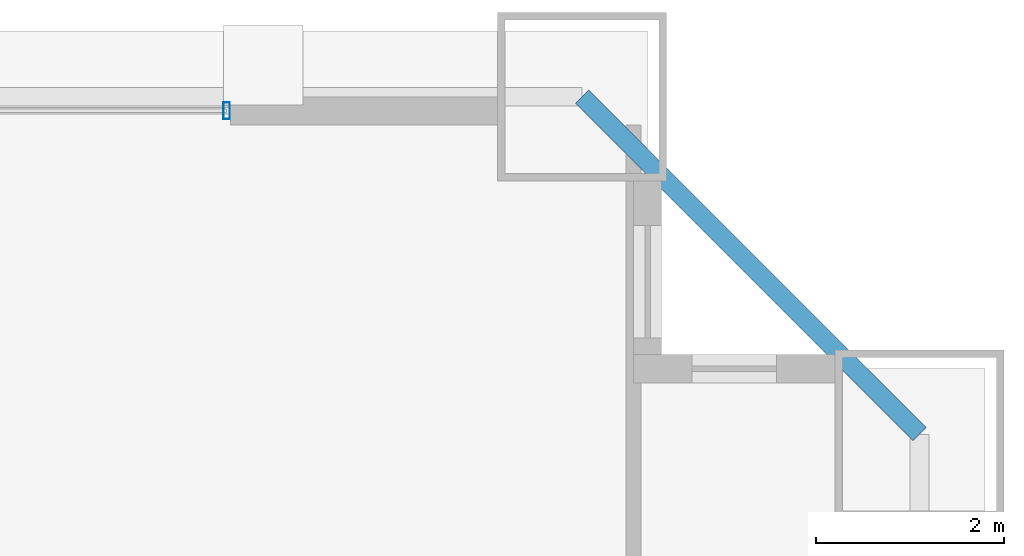
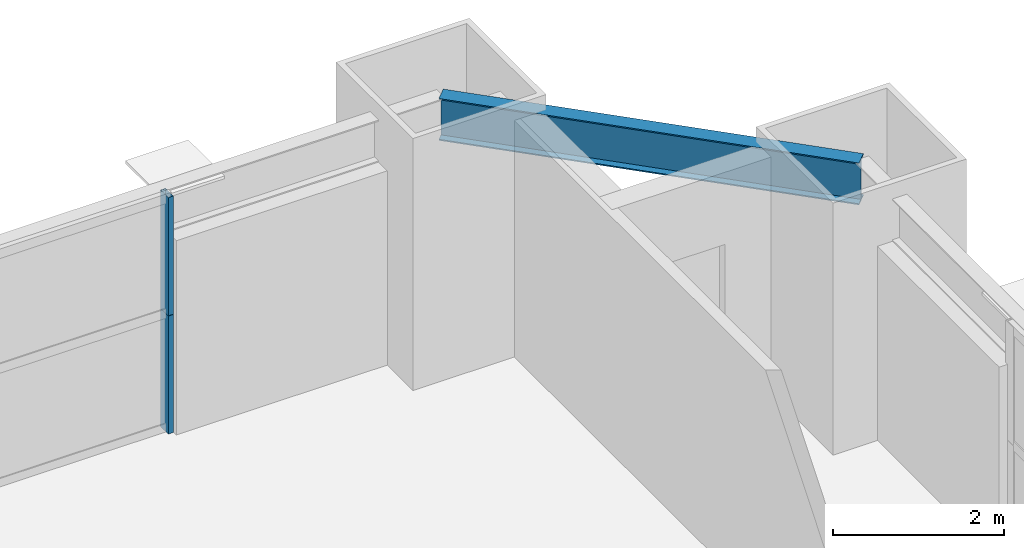
# One storey, part 39 of 46: 2 members, 1 beam, 1 element without a shape of its own.
"""IFC4 building model written with IfcOpenShell, lengths in metres."""

from ifc_helpers import new_model, si_unit, direction, frame, origin, origin_2d, place, context, subcontext, project, spatial, hollow_rectangle, i_section, extrude, source, transform, mapped, material, layer, layer_set, material_profile, profile_set, type_object, element, aggregate, save


model = new_model("IFC4")

# Units and contexts
model_context = context("Model", 3, precision=1e-05, world=origin(), true_north=direction((0.0, 1.0)))
body_context = subcontext(model_context, "Body", "Model", "MODEL_VIEW")
ifc_project = project(units=[si_unit("LENGTHUNIT", "METRE"), si_unit("AREAUNIT", "SQUARE_METRE"), si_unit("VOLUMEUNIT", "CUBIC_METRE"), si_unit("PLANEANGLEUNIT", "RADIAN"), si_unit("MASSUNIT", "GRAM", prefix="KILO"), si_unit("THERMODYNAMICTEMPERATUREUNIT", "KELVIN"), si_unit("POWERUNIT", "WATT")], contexts=[model_context])

# Site, building, storey
site_placement = place(None, origin())
site = spatial("IfcSite", under=ifc_project, at=site_placement, CompositionType="ELEMENT")
building_placement = place(site_placement, origin())
building = spatial("IfcBuilding", under=site, at=building_placement, Name="Yuzanri Waterfront Tower", CompositionType="ELEMENT")
storey_placement = place(building_placement, frame((0.0, 0.0, 56.800048828125)))
storey = spatial("IfcBuildingStorey", under=building, at=storey_placement, Name="L14", CompositionType="ELEMENT", Elevation=56.800048828125)

# Beam
ifc_material_1 = material(Name="Steel Q355B", Category="steel")
ifc_material_profile_1 = material_profile(ifc_material_1, i_section(OverallWidth=0.199951171875, OverallDepth=0.60009765625, WebThickness=0.010986328125, FlangeThickness=0.01708984375, at=origin_2d()), Name="HN 600x200x11x17")
ifc_profile_set_1 = profile_set([ifc_material_profile_1], Name="Steel Q355B")
beam_type = type_object("IfcBeamType", Name="Perimeter Spandrel Q355B HN 600x200", PredefinedType="SPANDREL", material=ifc_profile_set_1)
shared_shape_1 = source(origin(), body_context, "Body", "SweptSolid", [
    extrude(i_section(OverallWidth=0.199951171875, OverallDepth=0.60009765625, WebThickness=0.010986328125, FlangeThickness=0.01708984375, at=origin_2d()), origin(), (0.0, 0.0, 1.0), 5.091064453125),
])
beam_placement = place(storey_placement, frame((62.10009765625, 47.300048828125, 3.079833984375), z_axis=(-0.707130757816, 0.707082803744, 0.0), x_axis=(-0.707082803744, -0.707130757816, 0.0)))
element("IfcBeam", 1, at=beam_placement, inside=storey, type_object=beam_type, Name="L14 Perimeter Spandrel E3-N3", PredefinedType="SPANDREL", context=body_context, shape_type="MappedRepresentation", body=[
    mapped(shared_shape_1, transform((0.0, 0.0, 0.0), scale=1.0)),
])

# Curtain wall, members
ifc_material_2 = material(Name="Anodized Architectural Bronze", Category="metal")
ifc_layer = layer(ifc_material_2, 0.159912109375)
ifc_layer_set = layer_set([ifc_layer], Name="Anodized Architectural Bronze")
curtain_wall_type = type_object("IfcCurtainWallType", Name="Anodized Bronze Hotel Lower-Tier Recessed Unitized Curtain Wall 8100", PredefinedType="NOTDEFINED", material=ifc_layer_set)
curtain_wall_placement = place(storey_placement, origin())
curtain_wall = element("IfcCurtainWall", 2, at=curtain_wall_placement, inside=storey, type_object=curtain_wall_type, Name="L14 Curtain Wall CW-L14-NR", PredefinedType="NOTDEFINED")
ifc_material_3 = material(Name="Anodized Architectural Bronze", Category="metal")
ifc_material_profile_2 = material_profile(ifc_material_3, hollow_rectangle(XDim=0.070068359375, YDim=0.179931640625, WallThickness=0.00390625, at=origin_2d()), Name="CWM 70x180")
ifc_profile_set_2 = profile_set([ifc_material_profile_2], Name="Anodized Architectural Bronze")
member_type = type_object("IfcMemberType", Name="Anodized Bronze Standard Curtain-Wall Mullion 70x180", PredefinedType="MULLION", material=ifc_profile_set_2)
shared_shape_2 = source(origin(), body_context, "Body", "SweptSolid", [
    extrude(hollow_rectangle(XDim=0.070068359375, YDim=0.179931640625, WallThickness=0.00390625, at=origin_2d()), origin(), (0.0, 0.0, 1.0), 1.68798828125),
])
member_1_placement = place(storey_placement, frame((54.7099609375, 50.75, 0.0), z_axis=(0.0, 0.0, 1.0), x_axis=(1.0, 0.0, 0.0)))
member_1 = element("IfcMember", 3, at=member_1_placement, type_object=member_type, Name="CW-L14-NR Lower Mullion 02", PredefinedType="MULLION", context=body_context, shape_type="MappedRepresentation", body=[
    mapped(shared_shape_2, transform((0.0, 0.0, 0.0), scale=1.0)),
])
member_2_placement = place(storey_placement, frame((54.7099609375, 50.75, 1.69189453125), z_axis=(0.0, 0.0, 1.0), x_axis=(1.0, 0.0, 0.0)))
member_2 = element("IfcMember", 4, at=member_2_placement, type_object=member_type, Name="CW-L14-NR Upper Mullion 02", PredefinedType="MULLION", context=body_context, shape_type="MappedRepresentation", body=[
    mapped(shared_shape_2, transform((0.0, 0.0, 0.0), scale=1.0)),
])
aggregate(curtain_wall, [member_1, member_2])

save(model, "model.ifc")
